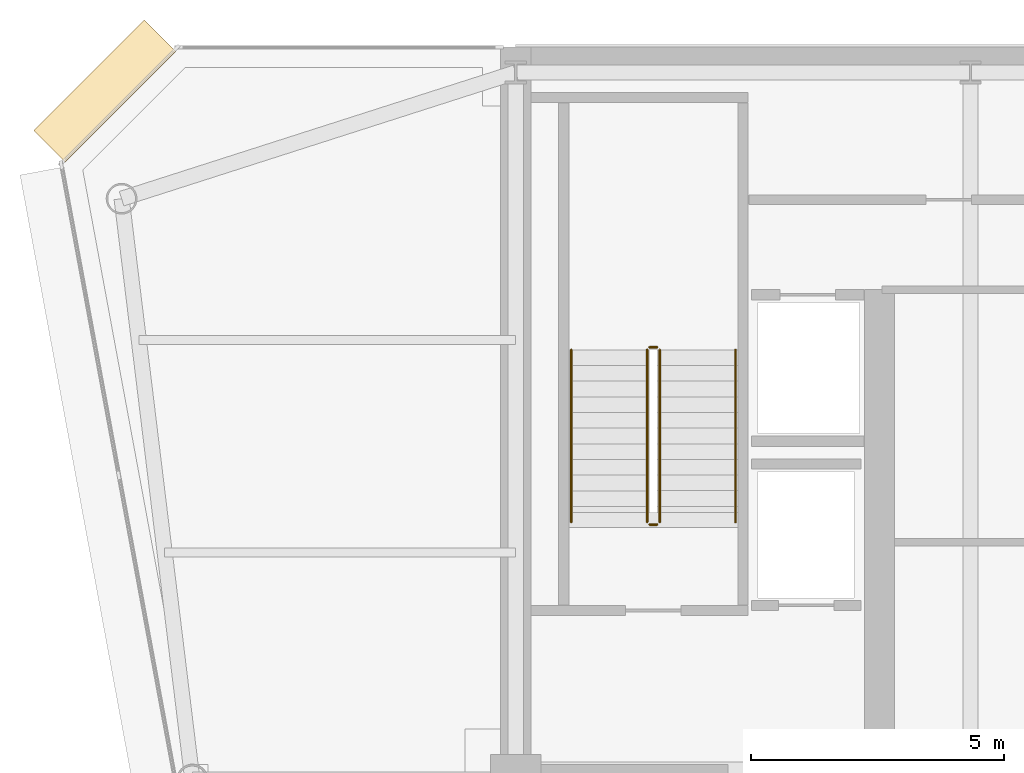
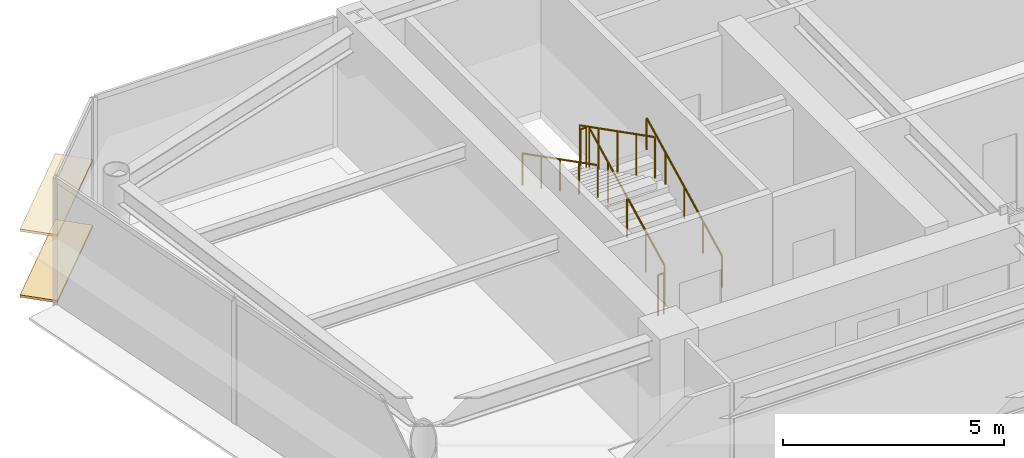
# One storey, part 14 of 16: 6 railings, 2 coverings.
"""IFC4 building model written with IfcOpenShell, lengths in metres."""

from ifc_helpers import new_model, si_unit, direction, frame, origin, origin_2d, place, context, subcontext, project, spatial, rectangle, circle, extrude, source, transform, mapped, material, layer, layer_set, type_object, element, save


model = new_model("IFC4")

# Units and contexts
model_context = context("Model", 3, precision=1e-05, world=origin(), true_north=direction((0.0, 1.0)))
body_context = subcontext(model_context, "Body", "Model", "MODEL_VIEW")
ifc_project = project(units=[si_unit("LENGTHUNIT", "METRE"), si_unit("AREAUNIT", "SQUARE_METRE"), si_unit("VOLUMEUNIT", "CUBIC_METRE"), si_unit("PLANEANGLEUNIT", "RADIAN"), si_unit("MASSUNIT", "GRAM", prefix="KILO")], contexts=[model_context])

# Site, building, storey
site_placement = place(None, origin())
site = spatial("IfcSite", under=ifc_project, at=site_placement, CompositionType="ELEMENT")
building_placement = place(site_placement, origin())
building = spatial("IfcBuilding", under=site, at=building_placement, Name="Vaeldorn Concourse Tower", CompositionType="ELEMENT")
storey_placement = place(building_placement, frame((0.0, 0.0, 227.0)))
storey = spatial("IfcBuildingStorey", under=building, at=storey_placement, Name="L58", CompositionType="ELEMENT", Elevation=227.0)

# Railings
ifc_material = material(Name="Anodised Bronze Aluminium", Category="aluminium")
railing_type_1 = type_object("IfcRailingType", Name="RL-STAIR-GUARD", PredefinedType="GUARDRAIL", material=ifc_material)
railing_1_placement = place(storey_placement, frame((16.85009765625, 41.60009765625, 0.158447265625)))
element("IfcRailing", 1, at=railing_1_placement, inside=storey, type_object=railing_type_1, Name="L58 ST-1 stair guard 1", PredefinedType="GUARDRAIL", context=body_context, shape_type="SweptSolid", body=[
    extrude(circle(Radius=0.02392578125, at=origin_2d()), frame((0.0, 0.0, 1.1259765625), z_axis=(0.0, 0.890581635807, 0.454823427236), x_axis=(-1.0, 0.0, 0.0)), (0.0, 0.0, 1.0), 3.828857421875),
    extrude(circle(Radius=0.02099609375, at=origin_2d()), origin(), (0.0, 0.0, 1.0), 1.101806640625),
    extrude(circle(Radius=0.02099609375, at=origin_2d()), frame((0.0, 0.8525390625, 0.435302734375)), (0.0, 0.0, 1.0), 1.101806640625),
    extrude(circle(Radius=0.02099609375, at=origin_2d()), frame((0.0, 1.705078125, 0.87060546875)), (0.0, 0.0, 1.0), 1.101806640625),
    extrude(circle(Radius=0.02099609375, at=origin_2d()), frame((0.0, 2.557373046875, 1.30615234375)), (0.0, 0.0, 1.0), 1.101806640625),
    extrude(circle(Radius=0.02099609375, at=origin_2d()), frame((0.0, 3.409912109375, 1.741455078125)), (0.0, 0.0, 1.0), 1.101806640625),
])
railing_2_placement = place(storey_placement, frame((16.800048828125, 45.06005859375, 1.89990234375)))
element("IfcRailing", 2, at=railing_2_placement, inside=storey, type_object=railing_type_1, Name="L58 ST-1 stair guard 2", PredefinedType="GUARDRAIL", context=body_context, shape_type="SweptSolid", body=[
    extrude(circle(Radius=0.02392578125, at=origin_2d()), frame((0.0, 0.0, 1.1259765625), z_axis=(-1.0, 0.0, 0.0), x_axis=(0.0, -1.0, 0.0)), (0.0, 0.0, 1.0), 0.150146484375),
    extrude(circle(Radius=0.02099609375, at=origin_2d()), origin(), (0.0, 0.0, 1.0), 1.101806640625),
    extrude(circle(Radius=0.02099609375, at=origin_2d()), frame((-0.150146484375, 0.0, 0.0)), (0.0, 0.0, 1.0), 1.101806640625),
])
railing_3_placement = place(storey_placement, frame((16.60009765625, 45.010009765625, 2.058349609375)))
element("IfcRailing", 3, at=railing_3_placement, inside=storey, type_object=railing_type_1, Name="L58 ST-1 stair guard 3", PredefinedType="GUARDRAIL", context=body_context, shape_type="SweptSolid", body=[
    extrude(circle(Radius=0.02392578125, at=origin_2d()), frame((0.0, 0.0, 1.1259765625), z_axis=(0.0, -0.890555807335, 0.454873997962), x_axis=(1.0, 0.0, 0.0)), (0.0, 0.0, 1.0), 3.828857421875),
    extrude(circle(Radius=0.02099609375, at=origin_2d()), origin(), (0.0, 0.0, 1.0), 1.101806640625),
    extrude(circle(Radius=0.02099609375, at=origin_2d()), frame((0.0, -0.8525390625, 0.435546875)), (0.0, 0.0, 1.0), 1.101806640625),
    extrude(circle(Radius=0.02099609375, at=origin_2d()), frame((0.0, -1.705078125, 0.870849609375)), (0.0, 0.0, 1.0), 1.101806640625),
    extrude(circle(Radius=0.02099609375, at=origin_2d()), frame((0.0, -2.557373046875, 1.30615234375)), (0.0, 0.0, 1.0), 1.101806640625),
    extrude(circle(Radius=0.02099609375, at=origin_2d()), frame((0.0, -3.409912109375, 1.74169921875)), (0.0, 0.0, 1.0), 1.101806640625),
])
railing_4_placement = place(storey_placement, frame((16.800048828125, 41.550048828125, 0.0)))
element("IfcRailing", 4, at=railing_4_placement, inside=storey, type_object=railing_type_1, Name="L58 ST-1 stair guard 4", PredefinedType="GUARDRAIL", context=body_context, shape_type="SweptSolid", body=[
    extrude(circle(Radius=0.02392578125, at=origin_2d()), frame((0.0, 0.0, 1.1259765625), z_axis=(-1.0, 0.0, 0.0), x_axis=(0.0, -1.0, 0.0)), (0.0, 0.0, 1.0), 0.150146484375),
    extrude(circle(Radius=0.02099609375, at=origin_2d()), origin(), (0.0, 0.0, 1.0), 1.101806640625),
    extrude(circle(Radius=0.02099609375, at=origin_2d()), frame((-0.150146484375, 0.0, 0.0)), (0.0, 0.0, 1.0), 1.101806640625),
])
railing_type_2 = type_object("IfcRailingType", Name="RL-STAIR-HANDRAIL", PredefinedType="HANDRAIL", material=ifc_material)
railing_5_placement = place(storey_placement, frame((18.35009765625, 41.60009765625, 0.158447265625)))
element("IfcRailing", 5, at=railing_5_placement, inside=storey, type_object=railing_type_2, Name="L58 ST-1 stair handrail 1", PredefinedType="HANDRAIL", context=body_context, shape_type="SweptSolid", body=[
    extrude(circle(Radius=0.02392578125, at=origin_2d()), frame((0.0, 0.0, 0.8759765625), z_axis=(0.0, 0.890581635807, 0.454823427236), x_axis=(-1.0, 0.0, 0.0)), (0.0, 0.0, 1.0), 3.828857421875),
    extrude(circle(Radius=0.02099609375, at=origin_2d()), origin(), (0.0, 0.0, 1.0), 0.851806640625),
    extrude(circle(Radius=0.02099609375, at=origin_2d()), frame((0.0, 0.8525390625, 0.435302734375)), (0.0, 0.0, 1.0), 0.851806640625),
    extrude(circle(Radius=0.02099609375, at=origin_2d()), frame((0.0, 1.705078125, 0.87060546875)), (0.0, 0.0, 1.0), 0.851806640625),
    extrude(circle(Radius=0.02099609375, at=origin_2d()), frame((0.0, 2.557373046875, 1.30615234375)), (0.0, 0.0, 1.0), 0.851806640625),
    extrude(circle(Radius=0.02099609375, at=origin_2d()), frame((0.0, 3.409912109375, 1.741455078125)), (0.0, 0.0, 1.0), 0.851806640625),
])
railing_6_placement = place(storey_placement, frame((15.10009765625, 45.010009765625, 2.058349609375)))
element("IfcRailing", 6, at=railing_6_placement, inside=storey, type_object=railing_type_2, Name="L58 ST-1 stair handrail 2", PredefinedType="HANDRAIL", context=body_context, shape_type="SweptSolid", body=[
    extrude(circle(Radius=0.02392578125, at=origin_2d()), frame((0.0, 0.0, 0.8759765625), z_axis=(0.0, -0.890555807335, 0.454873997962), x_axis=(1.0, 0.0, 0.0)), (0.0, 0.0, 1.0), 3.828857421875),
    extrude(circle(Radius=0.02099609375, at=origin_2d()), origin(), (0.0, 0.0, 1.0), 0.851806640625),
    extrude(circle(Radius=0.02099609375, at=origin_2d()), frame((0.0, -0.8525390625, 0.435546875)), (0.0, 0.0, 1.0), 0.851806640625),
    extrude(circle(Radius=0.02099609375, at=origin_2d()), frame((0.0, -1.705078125, 0.870849609375)), (0.0, 0.0, 1.0), 0.851806640625),
    extrude(circle(Radius=0.02099609375, at=origin_2d()), frame((0.0, -2.557373046875, 1.30615234375)), (0.0, 0.0, 1.0), 0.851806640625),
    extrude(circle(Radius=0.02099609375, at=origin_2d()), frame((0.0, -3.409912109375, 1.74169921875)), (0.0, 0.0, 1.0), 0.851806640625),
])

# Coverings
ifc_layer = layer(ifc_material, 0.06494140625)
ifc_layer_set = layer_set([ifc_layer], Name="Anodised Bronze Aluminium")
covering_type = type_object("IfcCoveringType", Name="SD-BRONZE-SUNSHADE", PredefinedType="USERDEFINED", material=ifc_layer_set)
shared_shape = source(origin(), body_context, "Body", "SweptSolid", [
    extrude(rectangle(XDim=3.0927734375, YDim=0.8798828125, at=origin_2d()), origin(), (0.0, 0.0, 1.0), 0.06494140625),
])
for number, where, z_axis, x_axis, name in (
    (7, (5.8671875, 50.1328125, 0.047607421875), (0.0, 0.0, 1.0), (-0.707106781187, -0.707106781187, 0.0), "Horizontal Bronze Sunshade L58-E10.1.1"),
    (8, (5.8671875, 50.1328125, 1.867431640625), (0.0, 0.0, 1.0), (-0.707106781187, -0.707106781187, 0.0), "Horizontal Bronze Sunshade L58-E10.1.2"),
):
    element("IfcCovering", number, at=place(storey_placement, frame(where, z_axis=z_axis, x_axis=x_axis)), inside=storey, type_object=covering_type, Name=name, ObjectType="SUNSHADE", PredefinedType="USERDEFINED", context=body_context, shape_type="MappedRepresentation", body=[
        mapped(shared_shape, transform((0.0, 0.0, 0.0), scale=1.0)),
    ])

save(model, "model.ifc")
